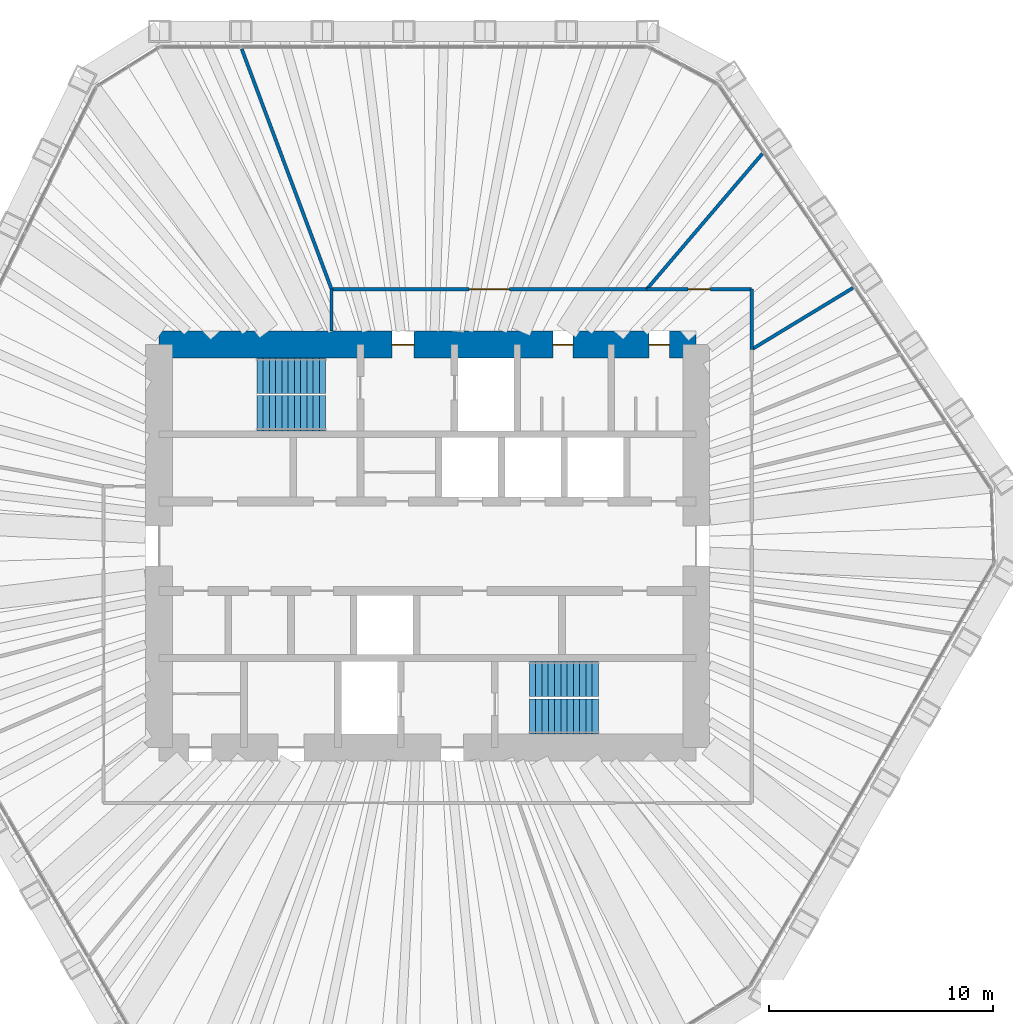
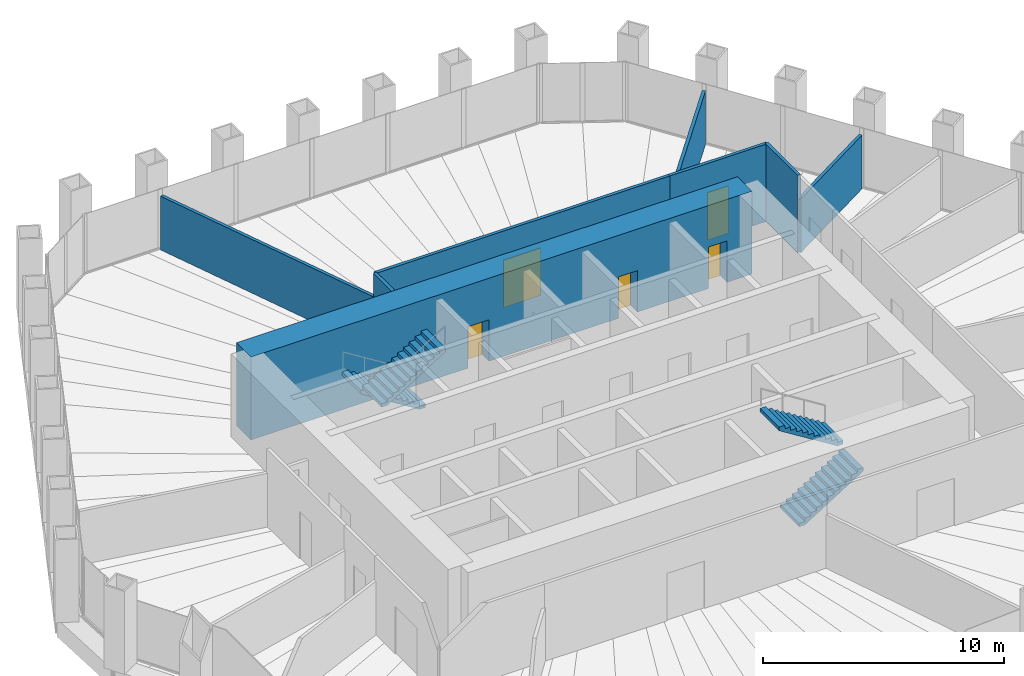
# One storey, part 11 of 12: 8 walls, 5 doors, 4 stair flights, 5 openings, 2 elements without a shape of their own.
"""IFC4 building model written with IfcOpenShell, lengths in metres."""

from ifc_helpers import new_model, si_unit, direction, frame, frame_2d, origin, place, context, subcontext, project, spatial, polyline, rectangle, outline, extrude, material, layer, layer_set, type_object, element, fill, aggregate, save


model = new_model("IFC4")

# Units and contexts
model_context = context("Model", 3, precision=1e-05, world=origin(), true_north=direction((0.0, 1.0)))
body_context = subcontext(model_context, "Body", "Model", "MODEL_VIEW")
ifc_project = project(units=[si_unit("LENGTHUNIT", "METRE"), si_unit("AREAUNIT", "SQUARE_METRE"), si_unit("VOLUMEUNIT", "CUBIC_METRE"), si_unit("PLANEANGLEUNIT", "RADIAN"), si_unit("MASSUNIT", "GRAM", prefix="KILO")], contexts=[model_context])

# Site, building, storey
site_placement = place(None, origin())
site = spatial("IfcSite", under=ifc_project, at=site_placement, CompositionType="ELEMENT")
building_placement = place(site_placement, origin())
building = spatial("IfcBuilding", under=site, at=building_placement, Name="Qingtian Harvest Tower", CompositionType="ELEMENT")
storey_placement = place(building_placement, frame((0.0, 0.0, 251.800048828125)))
storey = spatial("IfcBuildingStorey", under=building, at=storey_placement, Name="L55", CompositionType="ELEMENT", Elevation=251.800048828125)

# Wall, openings, doors
ifc_material_1 = material(Name="Concrete fc' 70 MPa", Category="concrete")
ifc_layer_1 = layer(ifc_material_1, 1.199951171875)
ifc_layer_set_1 = layer_set([ifc_layer_1], Name="Core wall RC2 1200")
wall_type_1 = type_object("IfcWallType", Name="Core wall RC2 1200", PredefinedType="SHEAR", material=ifc_layer_set_1)
wall_1_placement = place(storey_placement, frame((-12.0, 9.0, 0.0), z_axis=(0.0, 0.0, 1.0), x_axis=(1.0, 0.0, 0.0)))
wall_1 = element("IfcWall", 1, at=wall_1_placement, inside=storey, type_object=wall_type_1, Name="Core wall CN L55", PredefinedType="SHEAR", context=body_context, shape_type="SweptSolid", body=[
    extrude(rectangle(XDim=24.0, YDim=1.199951171875, at=frame_2d((12.0, 0.0))), origin(), (0.0, 0.0, 1.0), 4.199951171875),
])
opening_1_placement = place(wall_1_placement, frame((10.39990234375, 0.0, 0.0)))
opening_1 = element("IfcOpeningElement", 2, at=opening_1_placement, cuts=wall_1, Name="Opening FD1", PredefinedType="OPENING", context=body_context, shape_type="SweptSolid", body=[
    extrude(rectangle(XDim=1.0, YDim=2.10009765625, at=frame_2d((0.5, 1.050048828125))), frame((0.0, 0.60986328125, 0.0), z_axis=(0.0, -1.0, 0.0), x_axis=(1.0, 0.0, 0.0)), (0.0, 0.0, 1.0), 1.219970703125),
])
opening_2_placement = place(wall_1_placement, frame((17.60009765625, 0.0, 0.0)))
opening_2 = element("IfcOpeningElement", 3, at=opening_2_placement, cuts=wall_1, Name="Opening D1", PredefinedType="OPENING", context=body_context, shape_type="SweptSolid", body=[
    extrude(rectangle(XDim=0.89990234375, YDim=2.10009765625, at=frame_2d((0.449951171875, 1.050048828125))), frame((0.0, 0.60986328125, 0.0), z_axis=(0.0, -1.0, 0.0), x_axis=(1.0, 0.0, 0.0)), (0.0, 0.0, 1.0), 1.219970703125),
])
opening_3_placement = place(wall_1_placement, frame((21.89990234375, 0.0, 0.0)))
opening_3 = element("IfcOpeningElement", 4, at=opening_3_placement, cuts=wall_1, Name="Opening D1", PredefinedType="OPENING", context=body_context, shape_type="SweptSolid", body=[
    extrude(rectangle(XDim=0.89990234375, YDim=2.10009765625, at=frame_2d((0.449951171875, 1.050048828125))), frame((0.0, 0.60986328125, 0.0), z_axis=(0.0, -1.0, 0.0), x_axis=(1.0, 0.0, 0.0)), (0.0, 0.0, 1.0), 1.219970703125),
])
ifc_material_2 = material(Name="Steel-faced door leaf", Category="steel")
door_type_1 = type_object("IfcDoorType", Name="Fire door FD1 single 1 HR", OperationType="SINGLE_SWING_LEFT", PredefinedType="DOOR", material=ifc_material_2)
door_1_placement = place(opening_1_placement, origin())
door_1 = element("IfcDoor", 5, at=door_1_placement, inside=storey, type_object=door_type_1, Name="V1 door L55", OperationType="SINGLE_SWING_LEFT", OverallHeight=2.10009765625, OverallWidth=1.0, PredefinedType="DOOR", context=body_context, shape_type="SweptSolid", body=[
    extrude(rectangle(XDim=1.0, YDim=2.10009765625, at=frame_2d((0.5, 1.050048828125))), frame((0.0, 0.02490234375, 0.0), z_axis=(0.0, -1.0, 0.0), x_axis=(1.0, 0.0, 0.0)), (0.0, 0.0, 1.0), 0.050048828125),
])
fill(opening_1, door_1)
ifc_material_3 = material(Name="Laminated timber door leaf", Category="wood")
door_type_2 = type_object("IfcDoorType", Name="Toilet door D1 single", OperationType="SINGLE_SWING_LEFT", PredefinedType="DOOR", material=ifc_material_3)
door_2_placement = place(opening_2_placement, origin())
door_2 = element("IfcDoor", 6, at=door_2_placement, inside=storey, type_object=door_type_2, Name="WCM door L55", OperationType="SINGLE_SWING_LEFT", OverallHeight=2.10009765625, OverallWidth=0.89990234375, PredefinedType="DOOR", context=body_context, shape_type="SweptSolid", body=[
    extrude(rectangle(XDim=0.89990234375, YDim=2.10009765625, at=frame_2d((0.449951171875, 1.050048828125))), frame((0.0, 0.02490234375, 0.0), z_axis=(0.0, -1.0, 0.0), x_axis=(1.0, 0.0, 0.0)), (0.0, 0.0, 1.0), 0.050048828125),
])
fill(opening_2, door_2)
door_3_placement = place(opening_3_placement, origin())
door_3 = element("IfcDoor", 7, at=door_3_placement, inside=storey, type_object=door_type_2, Name="WCF door L55", OperationType="SINGLE_SWING_LEFT", OverallHeight=2.10009765625, OverallWidth=0.89990234375, PredefinedType="DOOR", context=body_context, shape_type="SweptSolid", body=[
    extrude(rectangle(XDim=0.89990234375, YDim=2.10009765625, at=frame_2d((0.449951171875, 1.050048828125))), frame((0.0, 0.02490234375, 0.0), z_axis=(0.0, -1.0, 0.0), x_axis=(1.0, 0.0, 0.0)), (0.0, 0.0, 1.0), 0.050048828125),
])
fill(opening_3, door_3)

# Walls
ifc_material_4 = material(Name="Gypsum board on steel studs", Category="steel")
ifc_layer_2 = layer(ifc_material_4, 0.14990234375)
ifc_layer_set_2 = layer_set([ifc_layer_2], Name="Partition PT1 150")
wall_type_2 = type_object("IfcWallType", Name="Partition PT1 150", PredefinedType="PARTITIONING", material=ifc_layer_set_2)
wall_2_placement = place(storey_placement, frame((-4.290771484375, 9.60009765625, 0.0), z_axis=(0.0, 0.0, 1.0), x_axis=(0.0, 1.0, 0.0)))
element("IfcWall", 8, at=wall_2_placement, inside=storey, type_object=wall_type_2, Name="Office suite wall L55", PredefinedType="PARTITIONING", context=body_context, shape_type="SweptSolid", body=[
    extrude(rectangle(XDim=1.875, YDim=0.14990234375, at=frame_2d((0.9375, 0.0))), origin(), (0.0, 0.0, 1.0), 3.919921875),
])
wall_3_placement = place(storey_placement, frame((-8.303466796875, 22.206298828125, 0.0), z_axis=(0.0, 0.0, 1.0), x_axis=(0.350242883069, -0.936658914899, 0.0)))
element("IfcWall", 9, at=wall_3_placement, inside=storey, type_object=wall_type_2, Name="Office suite wall L55", PredefinedType="PARTITIONING", context=body_context, shape_type="SweptSolid", body=[
    extrude(rectangle(XDim=11.456787109375, YDim=0.14990234375, at=frame_2d((5.728515625, 0.0))), origin(), (0.0, 0.0, 1.0), 2.719970703125),
])

# Wall, opening, door
wall_4_placement = place(storey_placement, frame((-4.290771484375, 11.47509765625, 0.0), z_axis=(0.0, 0.0, 1.0), x_axis=(1.0, 0.0, 0.0)))
wall_4 = element("IfcWall", 10, at=wall_4_placement, inside=storey, type_object=wall_type_2, Name="Office suite wall L55", PredefinedType="PARTITIONING", context=body_context, shape_type="SweptSolid", body=[
    extrude(rectangle(XDim=14.081787109375, YDim=0.14990234375, at=frame_2d((7.041015625, 0.0))), origin(), (0.0, 0.0, 1.0), 3.919921875),
])
opening_4_placement = place(wall_4_placement, frame((6.140869140625, 0.0, 0.0)))
opening_4 = element("IfcOpeningElement", 11, at=opening_4_placement, cuts=wall_4, Name="Opening D3", PredefinedType="OPENING", context=body_context, shape_type="SweptSolid", body=[
    extrude(rectangle(XDim=1.800048828125, YDim=2.39990234375, at=frame_2d((0.89990234375, 1.199951171875))), frame((0.0, 0.0849609375, 0.0), z_axis=(0.0, -1.0, 0.0), x_axis=(1.0, 0.0, 0.0)), (0.0, 0.0, 1.0), 0.169921875),
])
ifc_material_5 = material(Name="Laminated timber door leaf", Category="wood")
door_type_3 = type_object("IfcDoorType", Name="Room door D3 double", OperationType="DOUBLE_DOOR_DOUBLE_SWING", PredefinedType="DOOR", material=ifc_material_5)
door_4_placement = place(opening_4_placement, origin())
door_4 = element("IfcDoor", 12, at=door_4_placement, inside=storey, type_object=door_type_3, Name="Office suite door L55", OperationType="DOUBLE_DOOR_DOUBLE_SWING", OverallHeight=2.39990234375, OverallWidth=1.800048828125, PredefinedType="DOOR", context=body_context, shape_type="SweptSolid", body=[
    extrude(rectangle(XDim=1.800048828125, YDim=2.39990234375, at=frame_2d((0.89990234375, 1.199951171875))), frame((0.0, 0.02490234375, 0.0), z_axis=(0.0, -1.0, 0.0), x_axis=(1.0, 0.0, 0.0)), (0.0, 0.0, 1.0), 0.050048828125),
])
fill(opening_4, door_4)

# Wall
wall_5_placement = place(storey_placement, frame((14.9580078125, 17.530517578125, 0.0), z_axis=(0.0, 0.0, 1.0), x_axis=(-0.649097500837, -0.760705221756, 0.0)))
element("IfcWall", 13, at=wall_5_placement, inside=storey, type_object=wall_type_2, Name="Pantry wall L55", PredefinedType="PARTITIONING", context=body_context, shape_type="SweptSolid", body=[
    extrude(rectangle(XDim=7.960205078125, YDim=0.14990234375, at=frame_2d((3.97998046875, 0.0))), origin(), (0.0, 0.0, 1.0), 2.719970703125),
])

# Wall, opening, door
wall_6_placement = place(storey_placement, frame((9.791015625, 11.47509765625, 0.0), z_axis=(0.0, 0.0, 1.0), x_axis=(1.0, 0.0, 0.0)))
wall_6 = element("IfcWall", 14, at=wall_6_placement, inside=storey, type_object=wall_type_2, Name="Pantry wall L55", PredefinedType="PARTITIONING", context=body_context, shape_type="SweptSolid", body=[
    extrude(rectangle(XDim=4.68408203125, YDim=0.14990234375, at=frame_2d((2.342041015625, 0.0))), origin(), (0.0, 0.0, 1.0), 3.919921875),
])
opening_5_placement = place(wall_6_placement, frame((1.842041015625, 0.0, 0.0)))
opening_5 = element("IfcOpeningElement", 15, at=opening_5_placement, cuts=wall_6, Name="Opening D2", PredefinedType="OPENING", context=body_context, shape_type="SweptSolid", body=[
    extrude(rectangle(XDim=1.0, YDim=2.39990234375, at=frame_2d((0.5, 1.199951171875))), frame((0.0, 0.0849609375, 0.0), z_axis=(0.0, -1.0, 0.0), x_axis=(1.0, 0.0, 0.0)), (0.0, 0.0, 1.0), 0.169921875),
])
ifc_material_6 = material(Name="Laminated timber door leaf", Category="wood")
door_type_4 = type_object("IfcDoorType", Name="Room door D2 single", OperationType="SINGLE_SWING_LEFT", PredefinedType="DOOR", material=ifc_material_6)
door_5_placement = place(opening_5_placement, origin())
door_5 = element("IfcDoor", 16, at=door_5_placement, inside=storey, type_object=door_type_4, Name="Pantry door L55", OperationType="SINGLE_SWING_RIGHT", OverallHeight=2.39990234375, OverallWidth=1.0, PredefinedType="DOOR", context=body_context, shape_type="SweptSolid", body=[
    extrude(rectangle(XDim=1.0, YDim=2.39990234375, at=frame_2d((0.5, 1.199951171875))), frame((0.0, 0.02490234375, 0.0), z_axis=(0.0, -1.0, 0.0), x_axis=(1.0, 0.0, 0.0)), (0.0, 0.0, 1.0), 0.050048828125),
])
fill(opening_5, door_5)

# Walls
wall_7_placement = place(storey_placement, frame((14.47509765625, 11.47509765625, 0.0), z_axis=(0.0, 0.0, 1.0), x_axis=(0.0, -1.0, 0.0)))
element("IfcWall", 17, at=wall_7_placement, inside=storey, type_object=wall_type_2, Name="Pantry wall L55", PredefinedType="PARTITIONING", context=body_context, shape_type="SweptSolid", body=[
    extrude(rectangle(XDim=2.691650390625, YDim=0.14990234375, at=frame_2d((1.345703125, 0.0))), origin(), (0.0, 0.0, 1.0), 3.919921875),
])
wall_8_placement = place(storey_placement, frame((19.001220703125, 11.530029296875, 0.0), z_axis=(0.0, 0.0, 1.0), x_axis=(-0.854906581035, -0.518781975114, 0.0)))
element("IfcWall", 18, at=wall_8_placement, inside=storey, type_object=wall_type_2, Name="Print room wall L55", PredefinedType="PARTITIONING", context=body_context, shape_type="SweptSolid", body=[
    extrude(rectangle(XDim=5.294189453125, YDim=0.14990234375, at=frame_2d((2.64697265625, 0.0))), origin(), (0.0, 0.0, 1.0), 2.719970703125),
])

# Stair, stair flights
ifc_material_7 = material(Name="Concrete fc' 35 MPa", Category="concrete")
stair_type = type_object("IfcStairType", Name="Special stair ST4 4200", PredefinedType="HALF_TURN_STAIR", material=ifc_material_7)
stair_1_placement = place(storey_placement, origin())
stair_1 = element("IfcStair", 19, at=stair_1_placement, inside=storey, type_object=stair_type, Name="Special stair S1 L55", PredefinedType="HALF_TURN_STAIR")
ifc_material_8 = material(Name="Concrete fc' 35 MPa", Category="concrete")
stair_flight_type = type_object("IfcStairFlightType", Name="Stair flight SF4 4200", PredefinedType="STRAIGHT", material=ifc_material_8)
stair_flight_1_placement = place(storey_placement, frame((-4.550048828125, 7.612548828125, 0.0), z_axis=(0.0, 0.0, 1.0), x_axis=(-1.0, 0.0, 0.0)))
stair_flight_1 = element("IfcStairFlight", 20, at=stair_flight_1_placement, type_object=stair_flight_type, Name="S1 flight 1", NumberOfRisers=12, NumberOfTreads=11, PredefinedType="STRAIGHT", RiserHeight=0.175, TreadLength=0.28, context=body_context, shape_type="SweptSolid", body=[
    extrude(outline(polyline([(0.0, 0.0), (0.0, 0.175048828125), (0.280029296875, 0.175048828125), (0.280029296875, 0.35009765625), (0.56005859375, 0.35009765625), (0.56005859375, 0.52490234375), (0.840087890625, 0.52490234375), (0.840087890625, 0.699951171875), (1.1201171875, 0.699951171875), (1.1201171875, 0.875), (1.39990234375, 0.875), (1.39990234375, 1.050048828125), (1.679931640625, 1.050048828125), (1.679931640625, 1.22509765625), (1.9599609375, 1.22509765625), (1.9599609375, 1.39990234375), (2.239990234375, 1.39990234375), (2.239990234375, 1.574951171875), (2.52001953125, 1.574951171875), (2.52001953125, 1.75), (2.800048828125, 1.75), (2.800048828125, 1.925048828125), (3.080078125, 1.925048828125), (3.080078125, 2.10009765625), (3.080078125, 1.748291015625), (0.28271484375, 0.0), (0.0, 0.0)])), frame((0.0, 0.78759765625, 0.0), z_axis=(0.0, -1.0, 0.0), x_axis=(1.0, 0.0, 0.0)), (0.0, 0.0, 1.0), 1.574951171875),
])
stair_flight_2_placement = place(storey_placement, frame((-7.6298828125, 5.9375, 2.099853515625), z_axis=(0.0, 0.0, 1.0), x_axis=(1.0, 0.0, 0.0)))
stair_flight_2 = element("IfcStairFlight", 21, at=stair_flight_2_placement, type_object=stair_flight_type, Name="S1 flight 2", NumberOfRisers=12, NumberOfTreads=11, PredefinedType="STRAIGHT", RiserHeight=0.175, TreadLength=0.28, context=body_context, shape_type="SweptSolid", body=[
    extrude(outline(polyline([(0.0, 0.0), (0.0, 0.175048828125), (0.280029296875, 0.175048828125), (0.280029296875, 0.35009765625), (0.56005859375, 0.35009765625), (0.56005859375, 0.52490234375), (0.840087890625, 0.52490234375), (0.840087890625, 0.699951171875), (1.1201171875, 0.699951171875), (1.1201171875, 0.875), (1.39990234375, 0.875), (1.39990234375, 1.050048828125), (1.679931640625, 1.050048828125), (1.679931640625, 1.22509765625), (1.9599609375, 1.22509765625), (1.9599609375, 1.39990234375), (2.239990234375, 1.39990234375), (2.239990234375, 1.574951171875), (2.52001953125, 1.574951171875), (2.52001953125, 1.75), (2.800048828125, 1.75), (2.800048828125, 1.925048828125), (3.080078125, 1.925048828125), (3.080078125, 2.10009765625), (3.080078125, 1.748291015625), (0.28271484375, 0.0), (0.0, 0.0)])), frame((0.0, 0.78759765625, 0.0), z_axis=(0.0, -1.0, 0.0), x_axis=(1.0, 0.0, 0.0)), (0.0, 0.0, 1.0), 1.574951171875),
])
aggregate(stair_1, [stair_flight_1, stair_flight_2])

stair_2_placement = place(storey_placement, origin())
stair_2 = element("IfcStair", 22, at=stair_2_placement, inside=storey, type_object=stair_type, Name="Special stair S2 L55", PredefinedType="HALF_TURN_STAIR")
stair_flight_3_placement = place(storey_placement, frame((4.550048828125, -7.612548828125, 0.0), z_axis=(0.0, 0.0, 1.0), x_axis=(1.0, 0.0, 0.0)))
stair_flight_3 = element("IfcStairFlight", 23, at=stair_flight_3_placement, type_object=stair_flight_type, Name="S2 flight 1", NumberOfRisers=12, NumberOfTreads=11, PredefinedType="STRAIGHT", RiserHeight=0.175, TreadLength=0.28, context=body_context, shape_type="SweptSolid", body=[
    extrude(outline(polyline([(0.0, 0.0), (0.0, 0.175048828125), (0.280029296875, 0.175048828125), (0.280029296875, 0.35009765625), (0.56005859375, 0.35009765625), (0.56005859375, 0.52490234375), (0.840087890625, 0.52490234375), (0.840087890625, 0.699951171875), (1.1201171875, 0.699951171875), (1.1201171875, 0.875), (1.39990234375, 0.875), (1.39990234375, 1.050048828125), (1.679931640625, 1.050048828125), (1.679931640625, 1.22509765625), (1.9599609375, 1.22509765625), (1.9599609375, 1.39990234375), (2.239990234375, 1.39990234375), (2.239990234375, 1.574951171875), (2.52001953125, 1.574951171875), (2.52001953125, 1.75), (2.800048828125, 1.75), (2.800048828125, 1.925048828125), (3.080078125, 1.925048828125), (3.080078125, 2.10009765625), (3.080078125, 1.748291015625), (0.28271484375, 0.0), (0.0, 0.0)])), frame((0.0, 0.78759765625, 0.0), z_axis=(0.0, -1.0, 0.0), x_axis=(1.0, 0.0, 0.0)), (0.0, 0.0, 1.0), 1.574951171875),
])
stair_flight_4_placement = place(storey_placement, frame((7.6298828125, -5.9375, 2.099853515625), z_axis=(0.0, 0.0, 1.0), x_axis=(-1.0, 0.0, 0.0)))
stair_flight_4 = element("IfcStairFlight", 24, at=stair_flight_4_placement, type_object=stair_flight_type, Name="S2 flight 2", NumberOfRisers=12, NumberOfTreads=11, PredefinedType="STRAIGHT", RiserHeight=0.175, TreadLength=0.28, context=body_context, shape_type="SweptSolid", body=[
    extrude(outline(polyline([(0.0, 0.0), (0.0, 0.175048828125), (0.280029296875, 0.175048828125), (0.280029296875, 0.35009765625), (0.56005859375, 0.35009765625), (0.56005859375, 0.52490234375), (0.840087890625, 0.52490234375), (0.840087890625, 0.699951171875), (1.1201171875, 0.699951171875), (1.1201171875, 0.875), (1.39990234375, 0.875), (1.39990234375, 1.050048828125), (1.679931640625, 1.050048828125), (1.679931640625, 1.22509765625), (1.9599609375, 1.22509765625), (1.9599609375, 1.39990234375), (2.239990234375, 1.39990234375), (2.239990234375, 1.574951171875), (2.52001953125, 1.574951171875), (2.52001953125, 1.75), (2.800048828125, 1.75), (2.800048828125, 1.925048828125), (3.080078125, 1.925048828125), (3.080078125, 2.10009765625), (3.080078125, 1.748291015625), (0.28271484375, 0.0), (0.0, 0.0)])), frame((0.0, 0.78759765625, 0.0), z_axis=(0.0, -1.0, 0.0), x_axis=(1.0, 0.0, 0.0)), (0.0, 0.0, 1.0), 1.574951171875),
])
aggregate(stair_2, [stair_flight_3, stair_flight_4])

save(model, "model.ifc")
